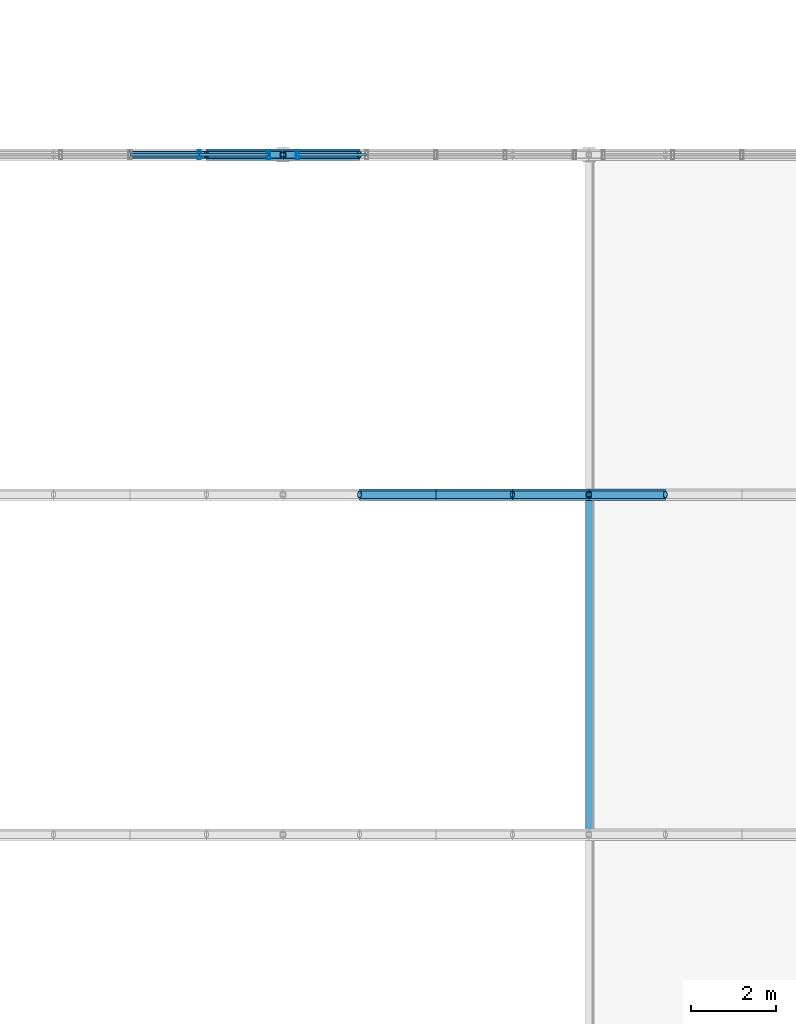
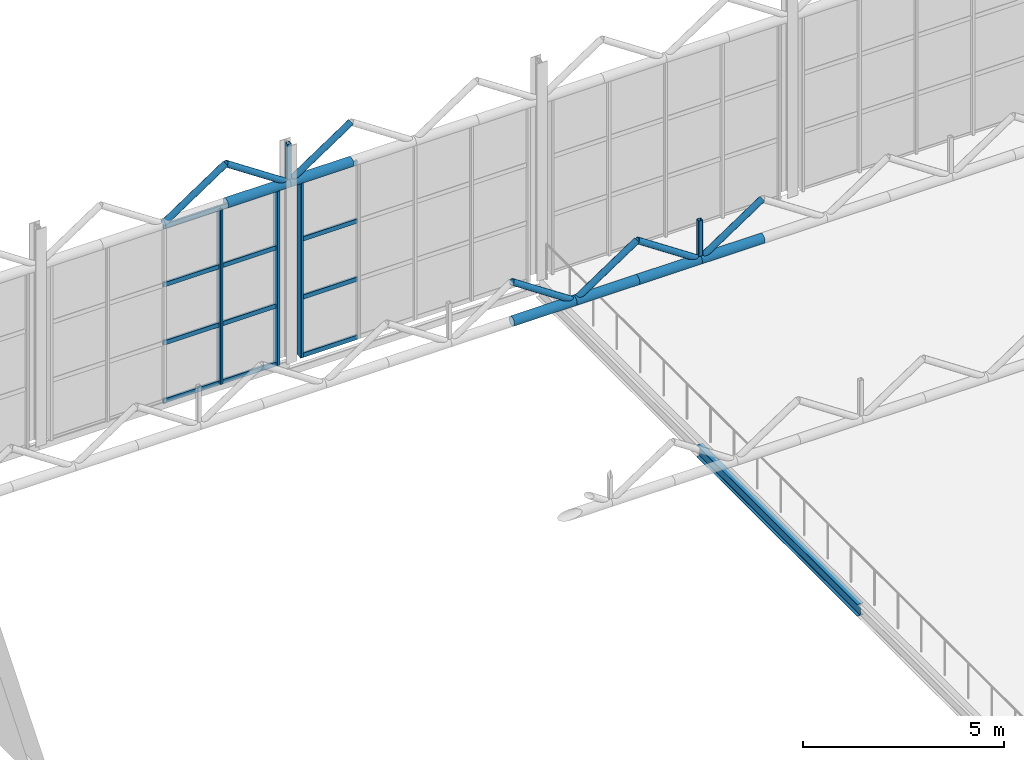
# One storey, part 95 of 153: 30 members, 1 beam, 2 elements without a shape of their own.
"""IFC4 building model written with IfcOpenShell, lengths in metres."""

from ifc_helpers import new_model, si_unit, derived_unit, direction, frame, origin, origin_2d, place, context, subcontext, project, spatial, hollow_rectangle, hollow_circle, i_section, extrude, material, material_profile, profile_set, type_object, element, aggregate, save


model = new_model("IFC4")

# Units and contexts
model_context = context("Model", 3, precision=1e-05, world=origin(), true_north=direction((0.0, 1.0)))
body_context = subcontext(model_context, "Body", "Model", "MODEL_VIEW")
ifc_project = project(units=[si_unit("LENGTHUNIT", "METRE"), si_unit("AREAUNIT", "SQUARE_METRE"), si_unit("VOLUMEUNIT", "CUBIC_METRE"), si_unit("PLANEANGLEUNIT", "RADIAN"), si_unit("MASSUNIT", "GRAM", prefix="KILO"), derived_unit("THERMALTRANSMITTANCEUNIT", [(si_unit("POWERUNIT", "WATT"), 1), (si_unit("LENGTHUNIT", "METRE"), -2), (si_unit("THERMODYNAMICTEMPERATUREUNIT", "KELVIN"), -1)])], contexts=[model_context])

# Site, building, storey
site_placement = place(None, origin())
site = spatial("IfcSite", under=ifc_project, at=site_placement, CompositionType="ELEMENT")
building_placement = place(site_placement, origin())
building = spatial("IfcBuilding", under=site, at=building_placement, Name="Keldorne Ridge Multi-Sports Centre", CompositionType="ELEMENT")
storey_placement = place(building_placement, frame((0.0, 0.0, 9.60009765625)))
storey = spatial("IfcBuildingStorey", under=building, at=storey_placement, Name="L02", CompositionType="ELEMENT", Elevation=9.60009765625)

# Beam
ifc_material_1 = material(Name="Steel S355", Category="steel")
ifc_material_profile_1 = material_profile(ifc_material_1, i_section(OverallWidth=0.169921875, OverallDepth=0.360107421875, WebThickness=0.008056640625, FlangeThickness=0.0126953125, FilletRadius=0.01806640625, at=origin_2d()), Name="IPE 360")
ifc_profile_set_1 = profile_set([ifc_material_profile_1], Name="Steel S355")
beam_type = type_object("IfcBeamType", Name="BM-B-05", PredefinedType="BEAM", material=ifc_profile_set_1)
beam_placement = place(storey_placement, frame((27.60009765625, 98.0, -0.420166015625), z_axis=(0.0, 1.0, 0.0), x_axis=(-1.0, 0.0, 0.0)))
element("IfcBeam", 1, at=beam_placement, inside=storey, type_object=beam_type, Name="L02 climbing gallery girder 98", PredefinedType="BEAM", context=body_context, shape_type="SweptSolid", body=[
    extrude(i_section(OverallWidth=0.169921875, OverallDepth=0.360107421875, WebThickness=0.008056640625, FlangeThickness=0.0126953125, FilletRadius=0.01806640625, at=origin_2d()), origin(), (0.0, 0.0, 1.0), 8.0),
])

# Curtain wall, members
ifc_material_2 = material(Name="Anodized aluminium", Category="aluminium")
curtain_wall_type_1 = type_object("IfcCurtainWallType", Name="CW-CW-03", PredefinedType="NOTDEFINED", material=ifc_material_2)
curtain_wall_1_placement = place(storey_placement, origin())
curtain_wall_1 = element("IfcCurtainWall", 2, at=curtain_wall_1_placement, inside=storey, type_object=curtain_wall_type_1, Name="Climbing north glazing L02 043", PredefinedType="NOTDEFINED")
ifc_material_profile_2 = material_profile(ifc_material_2, hollow_rectangle(XDim=0.074951171875, YDim=0.219970703125, WallThickness=0.0048828125, InnerFilletRadius=0.0048828125, OuterFilletRadius=0.010009765625, at=origin_2d()), Name="ALU MULLION 220x75x5")
ifc_profile_set_2 = profile_set([ifc_material_profile_2], Name="Anodized aluminium")
member_type_1 = type_object("IfcMemberType", Name="MEM-ML-02", PredefinedType="MULLION", material=ifc_profile_set_2)
member_1_placement = place(storey_placement, frame((20.06005859375, 114.0, 0.0), z_axis=(0.0, 0.0, 1.0), x_axis=(1.0, 0.0, 0.0)))
member_1 = element("IfcMember", 3, at=member_1_placement, type_object=member_type_1, Name="CW-043 vertical mullion 1", PredefinedType="MULLION", context=body_context, shape_type="SweptSolid", body=[
    extrude(hollow_rectangle(XDim=0.074951171875, YDim=0.219970703125, WallThickness=0.0048828125, InnerFilletRadius=0.0048828125, OuterFilletRadius=0.010009765625, at=origin_2d()), origin(), (0.0, 0.0, 1.0), 5.2998046875),
])
member_2_placement = place(storey_placement, frame((18.429931640625, 114.0, 0.0), z_axis=(0.0, 0.0, 1.0), x_axis=(1.0, 0.0, 0.0)))
member_2 = element("IfcMember", 4, at=member_2_placement, type_object=member_type_1, Name="CW-043 vertical mullion 2", PredefinedType="MULLION", context=body_context, shape_type="SweptSolid", body=[
    extrude(hollow_rectangle(XDim=0.074951171875, YDim=0.219970703125, WallThickness=0.0048828125, InnerFilletRadius=0.0048828125, OuterFilletRadius=0.010009765625, at=origin_2d()), origin(), (0.0, 0.0, 1.0), 5.2998046875),
])

# Curtain wall, member
curtain_wall_type_2 = type_object("IfcCurtainWallType", Name="CW-CW-07", PredefinedType="NOTDEFINED", material=ifc_material_2)
curtain_wall_2_placement = place(storey_placement, origin())
curtain_wall_2 = element("IfcCurtainWall", 5, at=curtain_wall_2_placement, inside=storey, type_object=curtain_wall_type_2, Name="Climbing north glazing L02 047", PredefinedType="NOTDEFINED")
member_3_placement = place(storey_placement, frame((20.739990234375, 114.0, 0.0), z_axis=(0.0, 0.0, 1.0), x_axis=(1.0, 0.0, 0.0)))
member_3 = element("IfcMember", 6, at=member_3_placement, type_object=member_type_1, Name="CW-047 vertical mullion 5", PredefinedType="MULLION", context=body_context, shape_type="SweptSolid", body=[
    extrude(hollow_rectangle(XDim=0.074951171875, YDim=0.219970703125, WallThickness=0.0048828125, InnerFilletRadius=0.0048828125, OuterFilletRadius=0.010009765625, at=origin_2d()), origin(), (0.0, 0.0, 1.0), 5.2998046875),
])

# Members
ifc_material_profile_3 = material_profile(ifc_material_1, hollow_circle(Radius=0.136474609375, WallThickness=0.012451171875, at=origin_2d()), Name="CHS 273x12.5")
ifc_profile_set_3 = profile_set([ifc_material_profile_3], Name="Steel S355")
member_type_2 = type_object("IfcMemberType", Name="MEM-TC-05", PredefinedType="CHORD", material=ifc_profile_set_3)
for number, where, z_axis, x_axis, name in (
    (7, (22.199951171875, 106.0, 5.3798828125), (1.0, 0.0, 0.0), (0.0, 1.0, 0.0), "Climbing sawtooth ROOF TRUSS ST-05 bottom chord 10"),
    (8, (24.0, 106.0, 5.3798828125), (1.0, 0.0, 0.0), (0.0, 1.0, 0.0), "Climbing sawtooth ROOF TRUSS ST-05 bottom chord 11"),
    (9, (25.800048828125, 106.0, 5.3798828125), (1.0, 0.0, 0.0), (0.0, 1.0, 0.0), "Climbing sawtooth ROOF TRUSS ST-05 bottom chord 12"),
):
    element("IfcMember", number, at=place(storey_placement, frame(where, z_axis=z_axis, x_axis=x_axis)), inside=storey, type_object=member_type_2, Name=name, PredefinedType="CHORD", context=body_context, shape_type="SweptSolid", body=[
        extrude(hollow_circle(Radius=0.136474609375, WallThickness=0.012451171875, at=origin_2d()), origin(), (0.0, 0.0, 1.0), 1.800048828125),
    ])
for number, where, z_axis, x_axis, name in (
    (10, (27.60009765625, 106.0, 5.3798828125), (1.0, 0.0, 0.0), (0.0, 1.0, 0.0), "Climbing sawtooth ROOF TRUSS ST-05 bottom chord 13"),
    (11, (18.60009765625, 114.0, 5.3798828125), (1.0, 0.0, 0.0), (0.0, 1.0, 0.0), "Climbing sawtooth ROOF TRUSS ST-06 bottom chord 8"),
):
    element("IfcMember", number, at=place(storey_placement, frame(where, z_axis=z_axis, x_axis=x_axis)), inside=storey, type_object=member_type_2, Name=name, PredefinedType="CHORD", context=body_context, shape_type="SweptSolid", body=[
        extrude(hollow_circle(Radius=0.136474609375, WallThickness=0.012451171875, at=origin_2d()), origin(), (0.0, 0.0, 1.0), 1.7998046875),
    ])
member_4_placement = place(storey_placement, frame((20.39990234375, 114.0, 5.3798828125), z_axis=(1.0, 0.0, 0.0), x_axis=(0.0, 1.0, 0.0)))
element("IfcMember", 12, at=member_4_placement, inside=storey, type_object=member_type_2, Name="Climbing sawtooth ROOF TRUSS ST-06 bottom chord 9", PredefinedType="CHORD", context=body_context, shape_type="SweptSolid", body=[
    extrude(hollow_circle(Radius=0.136474609375, WallThickness=0.012451171875, at=origin_2d()), origin(), (0.0, 0.0, 1.0), 1.800048828125),
])
ifc_material_profile_4 = material_profile(ifc_material_1, hollow_circle(Radius=0.0888671875, WallThickness=0.010009765625, at=origin_2d()), Name="CHS 177.8x10")
ifc_profile_set_4 = profile_set([ifc_material_profile_4], Name="Steel S355")
member_type_3 = type_object("IfcMemberType", Name="MEM-TD-03", PredefinedType="BRACE", material=ifc_profile_set_4)
for number, where, z_axis, x_axis, name in (
    (13, (22.199951171875, 106.0, 6.579833984375), (0.832067655982, 0.0, -0.554674152876), (0.0, 1.0, 0.0), "Climbing sawtooth web diagonal 05.10"),
    (14, (24.0, 106.0, 5.3798828125), (0.832067655982, 0.0, 0.554674152876), (0.0, 1.0, 0.0), "Climbing sawtooth web diagonal 05.11"),
    (15, (25.800048828125, 106.0, 6.579833984375), (0.832067655982, 0.0, -0.554674152876), (0.0, 1.0, 0.0), "Climbing sawtooth web diagonal 05.12"),
):
    element("IfcMember", number, at=place(storey_placement, frame(where, z_axis=z_axis, x_axis=x_axis)), inside=storey, type_object=member_type_3, Name=name, PredefinedType="BRACE", context=body_context, shape_type="SweptSolid", body=[
        extrude(hollow_circle(Radius=0.0888671875, WallThickness=0.010009765625, at=origin_2d()), origin(), (0.0, 0.0, 1.0), 2.163330078125),
    ])
member_5_placement = place(storey_placement, frame((27.60009765625, 106.0, 5.3798828125), z_axis=(0.832032930248, 0.0, 0.554726241477), x_axis=(0.0, 1.0, 0.0)))
element("IfcMember", 16, at=member_5_placement, inside=storey, type_object=member_type_3, Name="Climbing sawtooth web diagonal 05.13", PredefinedType="BRACE", context=body_context, shape_type="SweptSolid", body=[
    extrude(hollow_circle(Radius=0.0888671875, WallThickness=0.010009765625, at=origin_2d()), origin(), (0.0, 0.0, 1.0), 2.1630859375),
])
member_6_placement = place(storey_placement, frame((16.800048828125, 114.0, 5.3798828125), z_axis=(0.832067655982, 0.0, 0.554674152876), x_axis=(0.0, 1.0, 0.0)))
element("IfcMember", 17, at=member_6_placement, inside=storey, type_object=member_type_3, Name="Climbing sawtooth web diagonal 06.7", PredefinedType="BRACE", context=body_context, shape_type="SweptSolid", body=[
    extrude(hollow_circle(Radius=0.0888671875, WallThickness=0.010009765625, at=origin_2d()), origin(), (0.0, 0.0, 1.0), 2.163330078125),
])
member_7_placement = place(storey_placement, frame((18.60009765625, 114.0, 6.579833984375), z_axis=(0.832032930248, 0.0, -0.554726241477), x_axis=(0.0, 1.0, 0.0)))
element("IfcMember", 18, at=member_7_placement, inside=storey, type_object=member_type_3, Name="Climbing sawtooth web diagonal 06.8", PredefinedType="BRACE", context=body_context, shape_type="SweptSolid", body=[
    extrude(hollow_circle(Radius=0.0888671875, WallThickness=0.010009765625, at=origin_2d()), origin(), (0.0, 0.0, 1.0), 2.1630859375),
])
member_8_placement = place(storey_placement, frame((20.39990234375, 114.0, 5.3798828125), z_axis=(0.832067655982, 0.0, 0.554674152876), x_axis=(0.0, 1.0, 0.0)))
element("IfcMember", 19, at=member_8_placement, inside=storey, type_object=member_type_3, Name="Climbing sawtooth web diagonal 06.9", PredefinedType="BRACE", context=body_context, shape_type="SweptSolid", body=[
    extrude(hollow_circle(Radius=0.0888671875, WallThickness=0.010009765625, at=origin_2d()), origin(), (0.0, 0.0, 1.0), 2.163330078125),
])

# Member
ifc_material_profile_5 = material_profile(ifc_material_2, hollow_rectangle(XDim=0.06494140625, YDim=0.139892578125, WallThickness=0.00439453125, InnerFilletRadius=0.00439453125, OuterFilletRadius=0.009033203125, at=origin_2d()), Name="ALU TRANSOM 140x65x4.5")
ifc_profile_set_5 = profile_set([ifc_material_profile_5], Name="Anodized aluminium")
member_type_4 = type_object("IfcMemberType", Name="MEM-TR-01", PredefinedType="USERDEFINED", material=ifc_profile_set_5)
member_9_placement = place(storey_placement, frame((20.06005859375, 114.0, 0.0), z_axis=(-1.0, 0.0, 0.0), x_axis=(0.0, -1.0, 0.0)))
member_9 = element("IfcMember", 20, at=member_9_placement, type_object=member_type_4, Name="CW-043 transom 1.1", ObjectType="TRANSOM", PredefinedType="USERDEFINED", context=body_context, shape_type="SweptSolid", body=[
    extrude(hollow_rectangle(XDim=0.06494140625, YDim=0.139892578125, WallThickness=0.00439453125, InnerFilletRadius=0.00439453125, OuterFilletRadius=0.009033203125, at=origin_2d()), origin(), (0.0, 0.0, 1.0), 1.630126953125),
])

member_10_placement = place(storey_placement, frame((20.06005859375, 114.0, 1.7666015625), z_axis=(-1.0, 0.0, 0.0), x_axis=(0.0, -1.0, 0.0)))
member_10 = element("IfcMember", 21, at=member_10_placement, type_object=member_type_4, Name="CW-043 transom 1.2", ObjectType="TRANSOM", PredefinedType="USERDEFINED", context=body_context, shape_type="SweptSolid", body=[
    extrude(hollow_rectangle(XDim=0.06494140625, YDim=0.139892578125, WallThickness=0.00439453125, InnerFilletRadius=0.00439453125, OuterFilletRadius=0.009033203125, at=origin_2d()), origin(), (0.0, 0.0, 1.0), 1.630126953125),
])

member_11_placement = place(storey_placement, frame((20.06005859375, 114.0, 3.533203125), z_axis=(-1.0, 0.0, 0.0), x_axis=(0.0, -1.0, 0.0)))
member_11 = element("IfcMember", 22, at=member_11_placement, type_object=member_type_4, Name="CW-043 transom 1.3", ObjectType="TRANSOM", PredefinedType="USERDEFINED", context=body_context, shape_type="SweptSolid", body=[
    extrude(hollow_rectangle(XDim=0.06494140625, YDim=0.139892578125, WallThickness=0.00439453125, InnerFilletRadius=0.00439453125, OuterFilletRadius=0.009033203125, at=origin_2d()), origin(), (0.0, 0.0, 1.0), 1.630126953125),
])

member_12_placement = place(storey_placement, frame((20.06005859375, 114.0, 5.2998046875), z_axis=(-1.0, 0.0, 0.0), x_axis=(0.0, -1.0, 0.0)))
member_12 = element("IfcMember", 23, at=member_12_placement, type_object=member_type_4, Name="CW-043 transom 1.4", ObjectType="TRANSOM", PredefinedType="USERDEFINED", context=body_context, shape_type="SweptSolid", body=[
    extrude(hollow_rectangle(XDim=0.06494140625, YDim=0.139892578125, WallThickness=0.00439453125, InnerFilletRadius=0.00439453125, OuterFilletRadius=0.009033203125, at=origin_2d()), origin(), (0.0, 0.0, 1.0), 1.630126953125),
])

member_13_placement = place(storey_placement, frame((18.429931640625, 114.0, 0.0), z_axis=(-1.0, 0.0, 0.0), x_axis=(0.0, -1.0, 0.0)))
member_13 = element("IfcMember", 24, at=member_13_placement, type_object=member_type_4, Name="CW-043 transom 2.1", ObjectType="TRANSOM", PredefinedType="USERDEFINED", context=body_context, shape_type="SweptSolid", body=[
    extrude(hollow_rectangle(XDim=0.06494140625, YDim=0.139892578125, WallThickness=0.00439453125, InnerFilletRadius=0.00439453125, OuterFilletRadius=0.009033203125, at=origin_2d()), origin(), (0.0, 0.0, 1.0), 1.6298828125),
])

member_14_placement = place(storey_placement, frame((18.429931640625, 114.0, 1.7666015625), z_axis=(-1.0, 0.0, 0.0), x_axis=(0.0, -1.0, 0.0)))
member_14 = element("IfcMember", 25, at=member_14_placement, type_object=member_type_4, Name="CW-043 transom 2.2", ObjectType="TRANSOM", PredefinedType="USERDEFINED", context=body_context, shape_type="SweptSolid", body=[
    extrude(hollow_rectangle(XDim=0.06494140625, YDim=0.139892578125, WallThickness=0.00439453125, InnerFilletRadius=0.00439453125, OuterFilletRadius=0.009033203125, at=origin_2d()), origin(), (0.0, 0.0, 1.0), 1.6298828125),
])

member_15_placement = place(storey_placement, frame((18.429931640625, 114.0, 3.533203125), z_axis=(-1.0, 0.0, 0.0), x_axis=(0.0, -1.0, 0.0)))
member_15 = element("IfcMember", 26, at=member_15_placement, type_object=member_type_4, Name="CW-043 transom 2.3", ObjectType="TRANSOM", PredefinedType="USERDEFINED", context=body_context, shape_type="SweptSolid", body=[
    extrude(hollow_rectangle(XDim=0.06494140625, YDim=0.139892578125, WallThickness=0.00439453125, InnerFilletRadius=0.00439453125, OuterFilletRadius=0.009033203125, at=origin_2d()), origin(), (0.0, 0.0, 1.0), 1.6298828125),
])

member_16_placement = place(storey_placement, frame((18.429931640625, 114.0, 5.2998046875), z_axis=(-1.0, 0.0, 0.0), x_axis=(0.0, -1.0, 0.0)))
member_16 = element("IfcMember", 27, at=member_16_placement, type_object=member_type_4, Name="CW-043 transom 2.4", ObjectType="TRANSOM", PredefinedType="USERDEFINED", context=body_context, shape_type="SweptSolid", body=[
    extrude(hollow_rectangle(XDim=0.06494140625, YDim=0.139892578125, WallThickness=0.00439453125, InnerFilletRadius=0.00439453125, OuterFilletRadius=0.009033203125, at=origin_2d()), origin(), (0.0, 0.0, 1.0), 1.6298828125),
])

aggregate(curtain_wall_1, [member_1, member_2, member_9, member_10, member_11, member_12, member_13, member_14, member_15, member_16])

member_17_placement = place(storey_placement, frame((22.3701171875, 114.0, 0.0), z_axis=(-1.0, 0.0, 0.0), x_axis=(0.0, -1.0, 0.0)))
member_17 = element("IfcMember", 28, at=member_17_placement, type_object=member_type_4, Name="CW-047 transom 4.1", ObjectType="TRANSOM", PredefinedType="USERDEFINED", context=body_context, shape_type="SweptSolid", body=[
    extrude(hollow_rectangle(XDim=0.06494140625, YDim=0.139892578125, WallThickness=0.00439453125, InnerFilletRadius=0.00439453125, OuterFilletRadius=0.009033203125, at=origin_2d()), origin(), (0.0, 0.0, 1.0), 1.630126953125),
])

member_18_placement = place(storey_placement, frame((22.3701171875, 114.0, 1.7666015625), z_axis=(-1.0, 0.0, 0.0), x_axis=(0.0, -1.0, 0.0)))
member_18 = element("IfcMember", 29, at=member_18_placement, type_object=member_type_4, Name="CW-047 transom 4.2", ObjectType="TRANSOM", PredefinedType="USERDEFINED", context=body_context, shape_type="SweptSolid", body=[
    extrude(hollow_rectangle(XDim=0.06494140625, YDim=0.139892578125, WallThickness=0.00439453125, InnerFilletRadius=0.00439453125, OuterFilletRadius=0.009033203125, at=origin_2d()), origin(), (0.0, 0.0, 1.0), 1.630126953125),
])

member_19_placement = place(storey_placement, frame((22.3701171875, 114.0, 3.533203125), z_axis=(-1.0, 0.0, 0.0), x_axis=(0.0, -1.0, 0.0)))
member_19 = element("IfcMember", 30, at=member_19_placement, type_object=member_type_4, Name="CW-047 transom 4.3", ObjectType="TRANSOM", PredefinedType="USERDEFINED", context=body_context, shape_type="SweptSolid", body=[
    extrude(hollow_rectangle(XDim=0.06494140625, YDim=0.139892578125, WallThickness=0.00439453125, InnerFilletRadius=0.00439453125, OuterFilletRadius=0.009033203125, at=origin_2d()), origin(), (0.0, 0.0, 1.0), 1.630126953125),
])

member_20_placement = place(storey_placement, frame((22.3701171875, 114.0, 5.2998046875), z_axis=(-1.0, 0.0, 0.0), x_axis=(0.0, -1.0, 0.0)))
member_20 = element("IfcMember", 31, at=member_20_placement, type_object=member_type_4, Name="CW-047 transom 4.4", ObjectType="TRANSOM", PredefinedType="USERDEFINED", context=body_context, shape_type="SweptSolid", body=[
    extrude(hollow_rectangle(XDim=0.06494140625, YDim=0.139892578125, WallThickness=0.00439453125, InnerFilletRadius=0.00439453125, OuterFilletRadius=0.009033203125, at=origin_2d()), origin(), (0.0, 0.0, 1.0), 1.630126953125),
])

aggregate(curtain_wall_2, [member_3, member_17, member_18, member_19, member_20])

# Members
ifc_material_profile_6 = material_profile(ifc_material_1, hollow_rectangle(XDim=0.1201171875, YDim=0.1201171875, WallThickness=0.008056640625, InnerFilletRadius=0.008056640625, OuterFilletRadius=0.01611328125, at=origin_2d()), Name="SHS 120x120x8")
ifc_profile_set_6 = profile_set([ifc_material_profile_6], Name="Steel S355")
member_type_5 = type_object("IfcMemberType", Name="MEM-TV-02", PredefinedType="STRUT", material=ifc_profile_set_6)
for number, where, z_axis, x_axis, name in (
    (32, (27.60009765625, 106.0, 5.3798828125), (0.0, 0.0, 1.0), (1.0, 0.0, 0.0), "Climbing sawtooth vertical strut 05.4"),
    (33, (20.39990234375, 114.0, 5.3798828125), (0.0, 0.0, 1.0), (1.0, 0.0, 0.0), "Climbing sawtooth vertical strut 06.3"),
):
    element("IfcMember", number, at=place(storey_placement, frame(where, z_axis=z_axis, x_axis=x_axis)), inside=storey, type_object=member_type_5, Name=name, PredefinedType="STRUT", context=body_context, shape_type="SweptSolid", body=[
        extrude(hollow_rectangle(XDim=0.1201171875, YDim=0.1201171875, WallThickness=0.008056640625, InnerFilletRadius=0.008056640625, OuterFilletRadius=0.01611328125, at=origin_2d()), origin(), (0.0, 0.0, 1.0), 1.199951171875),
    ])

save(model, "model.ifc")
